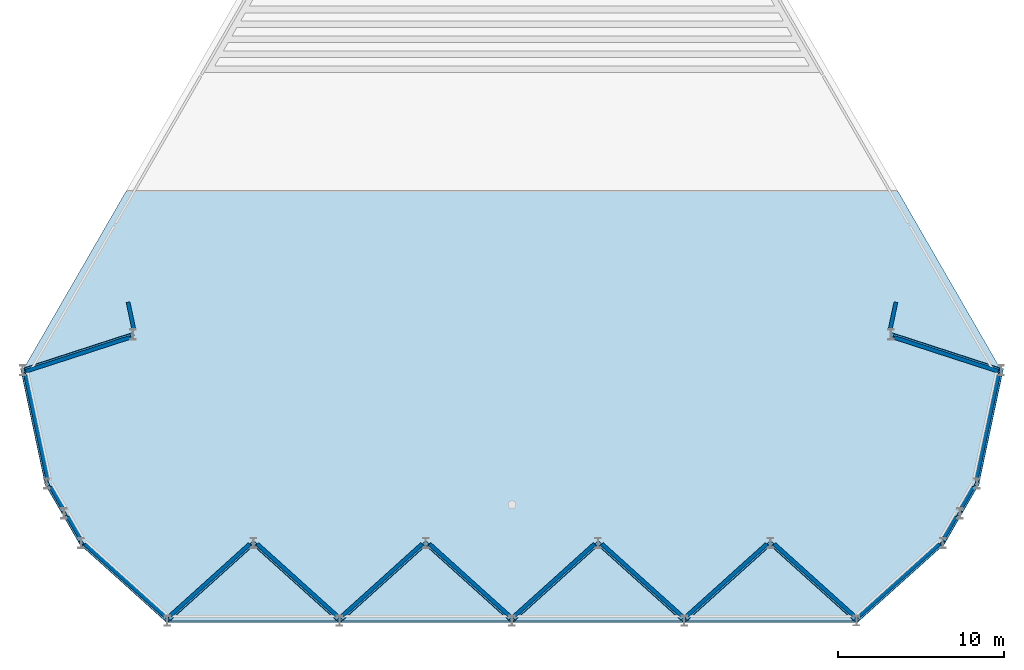
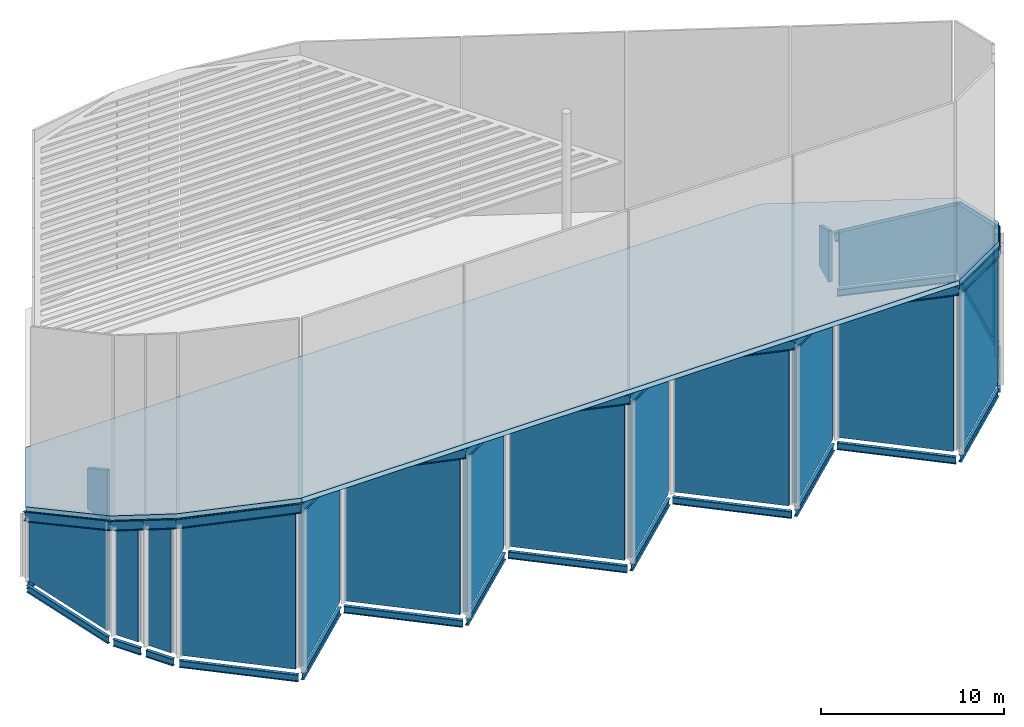
# One storey, part 3 of 5: 20 walls, 18 beams, 18 members, 1 roof.
"""IFC4 building model written with IfcOpenShell, lengths in metres."""

from ifc_helpers import new_model, si_unit, direction, frame, origin, origin_2d, place, context, subcontext, project, spatial, polyline, i_section, outline, extrude, material, layer, layer_set, material_profile, profile_set, type_object, element, save


model = new_model("IFC4")

# Units and contexts
model_context = context("Model", 3, precision=1e-05, world=origin(), true_north=direction((0.0, 1.0)))
body_context = subcontext(model_context, "Body", "Model", "MODEL_VIEW")
ifc_project = project(units=[si_unit("LENGTHUNIT", "METRE"), si_unit("AREAUNIT", "SQUARE_METRE"), si_unit("VOLUMEUNIT", "CUBIC_METRE"), si_unit("PLANEANGLEUNIT", "RADIAN"), si_unit("MASSUNIT", "GRAM", prefix="KILO")], contexts=[model_context])

# Site, building, storey
site_placement = place(None, origin())
site = spatial("IfcSite", under=ifc_project, at=site_placement, CompositionType="ELEMENT")
building_placement = place(site_placement, origin())
building = spatial("IfcBuilding", under=site, at=building_placement, Name="Cormorant Prow Tower", CompositionType="ELEMENT")
storey_placement = place(building_placement, frame((0.0, 0.0, 447.699951171875)))
storey = spatial("IfcBuildingStorey", under=building, at=storey_placement, Name="L99", CompositionType="ELEMENT", Elevation=447.699951171875)

# Members
ifc_material_1 = material(Name="Structural steel ASTM A992 Gr 50", Category="steel")
ifc_material_profile_1 = material_profile(ifc_material_1, i_section(OverallWidth=0.22900390625, OverallDepth=0.612060546875, WebThickness=0.011962890625, FlangeThickness=0.01953125, at=origin_2d()), Name="W24x84")
ifc_profile_set_1 = profile_set([ifc_material_profile_1], Name="Structural steel ASTM A992 Gr 50")
member_type_1 = type_object("IfcMemberType", Name="Crown frame edge member W24x84", PredefinedType="USERDEFINED", material=ifc_profile_set_1)
for number, where, z_axis, x_axis, name in (
    (1, (29.528564453125, -6.969482421875, 4.17626953125), (-0.942276055246, 0.306175765695, -0.135544222343), (-0.309027690338, -0.951053040899, 0.0), "Crown frame edge member CF3 ENE01-ENE02"),
    (2, (-22.873779296875, -4.80712890625, 3.218994140625), (-0.942276055246, -0.306175765695, 0.135544222343), (0.309027690338, -0.951053040899, 0.0), "Crown frame edge member CF3 WNW08-WNW09"),
):
    element("IfcMember", number, at=place(storey_placement, frame(where, z_axis=z_axis, x_axis=x_axis)), inside=storey, type_object=member_type_1, Name=name, ObjectType="CROWN FRAME", PredefinedType="USERDEFINED", context=body_context, shape_type="SweptSolid", body=[
        extrude(i_section(OverallWidth=0.22900390625, OverallDepth=0.612060546875, WebThickness=0.011962890625, FlangeThickness=0.01953125, at=origin_2d()), origin(), (0.0, 0.0, 1.0), 7.0625),
    ])
ifc_material_2 = material(Name="Structural steel ASTM A992 Gr 50", Category="steel")
ifc_material_profile_2 = material_profile(ifc_material_2, i_section(OverallWidth=0.22900390625, OverallDepth=0.612060546875, WebThickness=0.011962890625, FlangeThickness=0.01953125, at=origin_2d()), Name="W24x84")
ifc_profile_set_2 = profile_set([ifc_material_profile_2], Name="Structural steel ASTM A992 Gr 50")
member_type_2 = type_object("IfcMemberType", Name="Crown frame rafter W24x84", PredefinedType="RAFTER", material=ifc_profile_set_2)
for number, where, z_axis, x_axis, name in (
    (3, (-26.0, -17.40576171875, 8.796875), (0.712528391214, -0.641573289202, 0.284054583304), (0.669136276432, 0.743139720082, 0.0), "Crown frame rafter CF2 S00-S01"),
    (4, (-20.800048828125, -22.087890625, 10.869873046875), (0.712528391214, 0.641573289202, -0.284054583304), (-0.669136276432, 0.743139720082, 0.0), "Crown frame rafter CF2 S01-S02"),
):
    element("IfcMember", number, at=place(storey_placement, frame(where, z_axis=z_axis, x_axis=x_axis)), inside=storey, type_object=member_type_2, Name=name, PredefinedType="RAFTER", context=body_context, shape_type="SweptSolid", body=[
        extrude(i_section(OverallWidth=0.22900390625, OverallDepth=0.612060546875, WebThickness=0.011962890625, FlangeThickness=0.01953125, at=origin_2d()), origin(), (0.0, 0.0, 1.0), 7.2978515625),
    ])
member_1_placement = place(storey_placement, frame((-15.60009765625, -17.40576171875, 8.796875), z_axis=(0.712544859947, -0.641557996435, 0.284047812479), x_axis=(0.669118926826, 0.74315534161, 0.0)))
element("IfcMember", 5, at=member_1_placement, inside=storey, type_object=member_type_2, Name="Crown frame rafter CF2 S02-S03", PredefinedType="RAFTER", context=body_context, shape_type="SweptSolid", body=[
    extrude(i_section(OverallWidth=0.22900390625, OverallDepth=0.612060546875, WebThickness=0.011962890625, FlangeThickness=0.01953125, at=origin_2d()), origin(), (0.0, 0.0, 1.0), 7.298095703125),
])
for number, where, z_axis, x_axis, name in (
    (6, (-10.39990234375, -22.087890625, 10.869873046875), (0.712528391214, 0.641573289202, -0.284054583304), (-0.669136276432, 0.743139720082, 0.0), "Crown frame rafter CF2 S03-S04"),
    (7, (-5.199951171875, -17.40576171875, 8.796875), (0.712528391214, -0.641573289202, 0.284054583304), (0.669136276432, 0.743139720082, 0.0), "Crown frame rafter CF2 S04-S05"),
    (8, (0.0, -22.087890625, 10.869873046875), (0.712528391214, 0.641573289202, -0.284054583304), (-0.669136276432, 0.743139720082, 0.0), "Crown frame rafter CF2 S05-S06"),
    (9, (5.199951171875, -17.40576171875, 8.796875), (0.712528391214, -0.641573289202, 0.284054583304), (0.669136276432, 0.743139720082, 0.0), "Crown frame rafter CF2 S06-S07"),
):
    element("IfcMember", number, at=place(storey_placement, frame(where, z_axis=z_axis, x_axis=x_axis)), inside=storey, type_object=member_type_2, Name=name, PredefinedType="RAFTER", context=body_context, shape_type="SweptSolid", body=[
        extrude(i_section(OverallWidth=0.22900390625, OverallDepth=0.612060546875, WebThickness=0.011962890625, FlangeThickness=0.01953125, at=origin_2d()), origin(), (0.0, 0.0, 1.0), 7.2978515625),
    ])
member_2_placement = place(storey_placement, frame((10.39990234375, -22.087890625, 10.869873046875), z_axis=(0.712544859947, 0.641557996435, -0.284047812479), x_axis=(-0.669118926826, 0.74315534161, 0.0)))
element("IfcMember", 10, at=member_2_placement, inside=storey, type_object=member_type_2, Name="Crown frame rafter CF2 S07-S08", PredefinedType="RAFTER", context=body_context, shape_type="SweptSolid", body=[
    extrude(i_section(OverallWidth=0.22900390625, OverallDepth=0.612060546875, WebThickness=0.011962890625, FlangeThickness=0.01953125, at=origin_2d()), origin(), (0.0, 0.0, 1.0), 7.298095703125),
])
for number, where, z_axis, x_axis, name in (
    (11, (15.60009765625, -17.40576171875, 8.796875), (0.712528391214, -0.641573289202, 0.284054583304), (0.669136276432, 0.743139720082, 0.0), "Crown frame rafter CF2 S08-S09"),
    (12, (20.800048828125, -22.087890625, 10.869873046875), (0.712528391214, 0.641573289202, -0.284054583304), (-0.669136276432, 0.743139720082, 0.0), "Crown frame rafter CF2 S09-ESE00"),
):
    element("IfcMember", number, at=place(storey_placement, frame(where, z_axis=z_axis, x_axis=x_axis)), inside=storey, type_object=member_type_2, Name=name, PredefinedType="RAFTER", context=body_context, shape_type="SweptSolid", body=[
        extrude(i_section(OverallWidth=0.22900390625, OverallDepth=0.612060546875, WebThickness=0.011962890625, FlangeThickness=0.01953125, at=origin_2d()), origin(), (0.0, 0.0, 1.0), 7.2978515625),
    ])
member_3_placement = place(storey_placement, frame((26.0, -17.40576171875, 8.80078125), z_axis=(0.466856119705, 0.808616344843, -0.358029286997), x_axis=(-0.866024821615, 0.500001008347, 0.0)))
element("IfcMember", 13, at=member_3_placement, inside=storey, type_object=member_type_2, Name="Crown frame rafter CF2 ESE00-ESE01", PredefinedType="RAFTER", context=body_context, shape_type="SweptSolid", body=[
    extrude(i_section(OverallWidth=0.22900390625, OverallDepth=0.612060546875, WebThickness=0.011962890625, FlangeThickness=0.01953125, at=origin_2d()), origin(), (0.0, 0.0, 1.0), 2.220947265625),
])
member_4_placement = place(storey_placement, frame((27.036865234375, -15.60986328125, 8.005615234375), z_axis=(0.466814624493, 0.808654389545, -0.357997464557), x_axis=(-0.866054249832, 0.499950033851, 0.0)))
element("IfcMember", 14, at=member_4_placement, inside=storey, type_object=member_type_2, Name="Crown frame rafter CF2 ESE01-ENE00", PredefinedType="RAFTER", context=body_context, shape_type="SweptSolid", body=[
    extrude(i_section(OverallWidth=0.22900390625, OverallDepth=0.612060546875, WebThickness=0.011962890625, FlangeThickness=0.01953125, at=origin_2d()), origin(), (0.0, 0.0, 1.0), 2.22119140625),
])
for number, where, z_axis, x_axis, name in (
    (15, (28.07373046875, -13.813720703125, 7.219482421875), (0.190796928041, 0.897600449857, -0.397378867917), (-0.978146257121, 0.207918011921, 0.0), "Crown frame rafter CF2 ENE00-ENE01"),
    (16, (-29.528564453125, -6.969482421875, 4.189453125), (0.190796928041, -0.897600449857, 0.397378867917), (0.978146257121, 0.207918011921, 0.0), "Crown frame rafter CF2 WNW09-WSW00"),
):
    element("IfcMember", number, at=place(storey_placement, frame(where, z_axis=z_axis, x_axis=x_axis)), inside=storey, type_object=member_type_2, Name=name, PredefinedType="RAFTER", context=body_context, shape_type="SweptSolid", body=[
        extrude(i_section(OverallWidth=0.22900390625, OverallDepth=0.612060546875, WebThickness=0.011962890625, FlangeThickness=0.01953125, at=origin_2d()), origin(), (0.0, 0.0, 1.0), 7.625),
    ])
member_5_placement = place(storey_placement, frame((-28.07373046875, -13.813720703125, 7.21044921875), z_axis=(0.466814624493, -0.808654389545, 0.357997464557), x_axis=(0.866054249832, 0.499950033851, 0.0)))
element("IfcMember", 17, at=member_5_placement, inside=storey, type_object=member_type_2, Name="Crown frame rafter CF2 WSW00-WSW01", PredefinedType="RAFTER", context=body_context, shape_type="SweptSolid", body=[
    extrude(i_section(OverallWidth=0.22900390625, OverallDepth=0.612060546875, WebThickness=0.011962890625, FlangeThickness=0.01953125, at=origin_2d()), origin(), (0.0, 0.0, 1.0), 2.22119140625),
])
member_6_placement = place(storey_placement, frame((-27.036865234375, -15.60986328125, 8.005615234375), z_axis=(0.466856119705, -0.808616344843, 0.358029286997), x_axis=(0.866024821615, 0.500001008347, 0.0)))
element("IfcMember", 18, at=member_6_placement, inside=storey, type_object=member_type_2, Name="Crown frame rafter CF2 WSW01-S00", PredefinedType="RAFTER", context=body_context, shape_type="SweptSolid", body=[
    extrude(i_section(OverallWidth=0.22900390625, OverallDepth=0.612060546875, WebThickness=0.011962890625, FlangeThickness=0.01953125, at=origin_2d()), origin(), (0.0, 0.0, 1.0), 2.220947265625),
])

# Beams
ifc_material_3 = material(Name="Structural steel ASTM A992 Gr 50", Category="steel")
ifc_material_profile_3 = material_profile(ifc_material_3, i_section(OverallWidth=0.19287109375, OverallDepth=0.466064453125, WebThickness=0.011474609375, FlangeThickness=0.01904296875, at=origin_2d()), Name="W18x65")
ifc_profile_set_3 = profile_set([ifc_material_profile_3], Name="Structural steel ASTM A992 Gr 50")
beam_type = type_object("IfcBeamType", Name="Crown ring beam W18x65", PredefinedType="SPANDREL", material=ifc_profile_set_3)
for number, where, z_axis, x_axis, name in (
    (19, (-25.878662109375, -17.514892578125, -0.532958984375), (0.743139440672, -0.669136586743, 0.0), (0.669136586743, 0.743139440672, 0.0), "Crown ring beam SB5 S00-S01 L99"),
    (20, (-20.6787109375, -21.978515625, -0.532958984375), (0.743139440672, 0.669136586743, 0.0), (-0.669136586743, 0.743139440672, 0.0), "Crown ring beam SB5 S01-S02 L99"),
):
    element("IfcBeam", number, at=place(storey_placement, frame(where, z_axis=z_axis, x_axis=x_axis)), inside=storey, type_object=beam_type, Name=name, PredefinedType="SPANDREL", context=body_context, shape_type="SweptSolid", body=[
        extrude(i_section(OverallWidth=0.19287109375, OverallDepth=0.466064453125, WebThickness=0.011474609375, FlangeThickness=0.01904296875, at=origin_2d()), origin(), (0.0, 0.0, 1.0), 6.670654296875),
    ])
beam_1_placement = place(storey_placement, frame((-15.478759765625, -17.514892578125, -0.532958984375), z_axis=(0.743155826906, -0.669118387832, 0.0), x_axis=(0.669118387832, 0.743155826906, 0.0)))
element("IfcBeam", 21, at=beam_1_placement, inside=storey, type_object=beam_type, Name="Crown ring beam SB5 S02-S03 L99", PredefinedType="SPANDREL", context=body_context, shape_type="SweptSolid", body=[
    extrude(i_section(OverallWidth=0.19287109375, OverallDepth=0.466064453125, WebThickness=0.011474609375, FlangeThickness=0.01904296875, at=origin_2d()), origin(), (0.0, 0.0, 1.0), 6.6708984375),
])
for number, where, z_axis, x_axis, name in (
    (22, (-10.278564453125, -21.978515625, -0.532958984375), (0.743139440672, 0.669136586743, 0.0), (-0.669136586743, 0.743139440672, 0.0), "Crown ring beam SB5 S03-S04 L99"),
    (23, (-5.07861328125, -17.514892578125, -0.532958984375), (0.743139440672, -0.669136586743, 0.0), (0.669136586743, 0.743139440672, 0.0), "Crown ring beam SB5 S04-S05 L99"),
    (24, (0.121337890625, -21.978515625, -0.532958984375), (0.743139440672, 0.669136586743, 0.0), (-0.669136586743, 0.743139440672, 0.0), "Crown ring beam SB5 S05-S06 L99"),
    (25, (5.3212890625, -17.514892578125, -0.532958984375), (0.743139440672, -0.669136586743, 0.0), (0.669136586743, 0.743139440672, 0.0), "Crown ring beam SB5 S06-S07 L99"),
):
    element("IfcBeam", number, at=place(storey_placement, frame(where, z_axis=z_axis, x_axis=x_axis)), inside=storey, type_object=beam_type, Name=name, PredefinedType="SPANDREL", context=body_context, shape_type="SweptSolid", body=[
        extrude(i_section(OverallWidth=0.19287109375, OverallDepth=0.466064453125, WebThickness=0.011474609375, FlangeThickness=0.01904296875, at=origin_2d()), origin(), (0.0, 0.0, 1.0), 6.670654296875),
    ])
beam_2_placement = place(storey_placement, frame((10.521240234375, -21.978515625, -0.532958984375), z_axis=(0.743155826906, 0.669118387832, 0.0), x_axis=(-0.669118387832, 0.743155826906, 0.0)))
element("IfcBeam", 26, at=beam_2_placement, inside=storey, type_object=beam_type, Name="Crown ring beam SB5 S07-S08 L99", PredefinedType="SPANDREL", context=body_context, shape_type="SweptSolid", body=[
    extrude(i_section(OverallWidth=0.19287109375, OverallDepth=0.466064453125, WebThickness=0.011474609375, FlangeThickness=0.01904296875, at=origin_2d()), origin(), (0.0, 0.0, 1.0), 6.6708984375),
])
for number, where, z_axis, x_axis, name in (
    (27, (15.721435546875, -17.514892578125, -0.532958984375), (0.743139440672, -0.669136586743, 0.0), (0.669136586743, 0.743139440672, 0.0), "Crown ring beam SB5 S08-S09 L99"),
    (28, (20.92138671875, -21.978515625, -0.532958984375), (0.743139440672, 0.669136586743, 0.0), (-0.669136586743, 0.743139440672, 0.0), "Crown ring beam SB5 S09-ESE00 L99"),
):
    element("IfcBeam", number, at=place(storey_placement, frame(where, z_axis=z_axis, x_axis=x_axis)), inside=storey, type_object=beam_type, Name=name, PredefinedType="SPANDREL", context=body_context, shape_type="SweptSolid", body=[
        extrude(i_section(OverallWidth=0.19287109375, OverallDepth=0.466064453125, WebThickness=0.011474609375, FlangeThickness=0.01904296875, at=origin_2d()), origin(), (0.0, 0.0, 1.0), 6.670654296875),
    ])
for number, where, z_axis, x_axis, name in (
    (29, (26.08154296875, -17.264404296875, -0.532958984375), (0.500061095026, 0.865990127681, 0.0), (-0.865990127681, 0.500061095026, 0.0), "Crown ring beam SB5 ESE00-ESE01 L99"),
    (30, (27.118408203125, -15.46826171875, -0.532958984375), (0.500061095026, 0.865990127681, 0.0), (-0.865990127681, 0.500061095026, 0.0), "Crown ring beam SB5 ESE01-ENE00 L99"),
):
    element("IfcBeam", number, at=place(storey_placement, frame(where, z_axis=z_axis, x_axis=x_axis)), inside=storey, type_object=beam_type, Name=name, PredefinedType="SPANDREL", context=body_context, shape_type="SweptSolid", body=[
        extrude(i_section(OverallWidth=0.19287109375, OverallDepth=0.466064453125, WebThickness=0.011474609375, FlangeThickness=0.01904296875, at=origin_2d()), origin(), (0.0, 0.0, 1.0), 1.747314453125),
    ])
for number, where, z_axis, x_axis, name in (
    (31, (28.107666015625, -13.654052734375, -0.532958984375), (0.207919161079, 0.978146012851, 0.0), (-0.978146012851, 0.207919161079, 0.0), "Crown ring beam SB5 ENE00-ENE01 L99"),
    (32, (29.373291015625, -6.9189453125, -0.532958984375), (-0.95106042314, 0.309004970083, 0.0), (-0.309004970083, -0.95106042314, 0.0), "Crown ring beam SB5 ENE01-ENE02 L99"),
    (33, (-23.029052734375, -4.857666015625, -0.532958984375), (-0.95106042314, -0.309004970083, 0.0), (0.309004970083, -0.95106042314, 0.0), "Crown ring beam SB5 WNW08-WNW09 L99"),
    (34, (-29.49462890625, -7.129150390625, -0.532958984375), (0.207919161079, -0.978146012851, 0.0), (0.978146012851, 0.207919161079, 0.0), "Crown ring beam SB5 WNW09-WSW00 L99"),
):
    element("IfcBeam", number, at=place(storey_placement, frame(where, z_axis=z_axis, x_axis=x_axis)), inside=storey, type_object=beam_type, Name=name, PredefinedType="SPANDREL", context=body_context, shape_type="SweptSolid", body=[
        extrude(i_section(OverallWidth=0.19287109375, OverallDepth=0.466064453125, WebThickness=0.011474609375, FlangeThickness=0.01904296875, at=origin_2d()), origin(), (0.0, 0.0, 1.0), 6.670654296875),
    ])
for number, where, z_axis, x_axis, name in (
    (35, (-27.9921875, -13.955078125, -0.532958984375), (0.500061095026, -0.865990127681, 0.0), (0.865990127681, 0.500061095026, 0.0), "Crown ring beam SB5 WSW00-WSW01 L99"),
    (36, (-26.955322265625, -15.751220703125, -0.532958984375), (0.500061095026, -0.865990127681, 0.0), (0.865990127681, 0.500061095026, 0.0), "Crown ring beam SB5 WSW01-S00 L99"),
):
    element("IfcBeam", number, at=place(storey_placement, frame(where, z_axis=z_axis, x_axis=x_axis)), inside=storey, type_object=beam_type, Name=name, PredefinedType="SPANDREL", context=body_context, shape_type="SweptSolid", body=[
        extrude(i_section(OverallWidth=0.19287109375, OverallDepth=0.466064453125, WebThickness=0.011474609375, FlangeThickness=0.01904296875, at=origin_2d()), origin(), (0.0, 0.0, 1.0), 1.747314453125),
    ])

# Walls
ifc_material_4 = material(Name="Terracotta", Category="masonry")
ifc_layer_1 = layer(ifc_material_4, 0.22998046875)
ifc_layer_set_1 = layer_set([ifc_layer_1], Name="Terracotta")
wall_type = type_object("IfcWallType", Name="Terracotta crown cladding wall 230", PredefinedType="SOLIDWALL", material=ifc_layer_set_1)
wall_1_placement = place(storey_placement, frame((-25.775146484375, -17.453369140625, 0.0), z_axis=(0.0, 0.0, 1.0), x_axis=(0.743144145146, -0.669131361943, 0.0)))
element("IfcWall", 37, at=wall_1_placement, inside=storey, type_object=wall_type, Name="Terracotta raked crown wall S00", PredefinedType="SOLIDWALL", context=body_context, shape_type="SweptSolid", body=[
    extrude(outline(polyline([(0.0, 0.0), (6.47509765625, 0.0), (6.47509765625, 11.1181640625), (6.432373046875, 11.1181640625), (0.1669921875, 9.26220703125), (0.0, 9.26220703125), (0.0, 0.0)])), frame((0.0, 0.114990234375, 0.0), z_axis=(0.0, -1.0, 0.0), x_axis=(1.0, 0.0, 0.0)), (0.0, 0.0, 1.0), 0.22998046875),
])
wall_2_placement = place(storey_placement, frame((-20.63671875, -21.7861328125, 0.0), z_axis=(0.0, 0.0, 1.0), x_axis=(0.743144145146, 0.669131361943, 0.0)))
element("IfcWall", 38, at=wall_2_placement, inside=storey, type_object=wall_type, Name="Terracotta raked crown wall S01", PredefinedType="SOLIDWALL", context=body_context, shape_type="SweptSolid", body=[
    extrude(outline(polyline([(0.0, 0.0), (6.47509765625, 0.0), (6.47509765625, 9.26220703125), (6.30810546875, 9.26220703125), (0.042724609375, 11.1181640625), (0.0, 11.1181640625), (0.0, 0.0)])), frame((0.0, 0.114990234375, 0.0), z_axis=(0.0, -1.0, 0.0), x_axis=(1.0, 0.0, 0.0)), (0.0, 0.0, 1.0), 0.22998046875),
])
wall_3_placement = place(storey_placement, frame((-15.375244140625, -17.453369140625, 0.0), z_axis=(0.0, 0.0, 1.0), x_axis=(0.743144145146, -0.669131361943, 0.0)))
element("IfcWall", 39, at=wall_3_placement, inside=storey, type_object=wall_type, Name="Terracotta raked crown wall S02", PredefinedType="SOLIDWALL", context=body_context, shape_type="SweptSolid", body=[
    extrude(outline(polyline([(0.0, 0.0), (6.47509765625, 0.0), (6.47509765625, 11.1181640625), (6.432373046875, 11.1181640625), (0.1669921875, 9.26220703125), (0.0, 9.26220703125), (0.0, 0.0)])), frame((0.0, 0.114990234375, 0.0), z_axis=(0.0, -1.0, 0.0), x_axis=(1.0, 0.0, 0.0)), (0.0, 0.0, 1.0), 0.22998046875),
])
wall_4_placement = place(storey_placement, frame((-10.23681640625, -21.7861328125, 0.0), z_axis=(0.0, 0.0, 1.0), x_axis=(0.743144145146, 0.669131361943, 0.0)))
element("IfcWall", 40, at=wall_4_placement, inside=storey, type_object=wall_type, Name="Terracotta raked crown wall S03", PredefinedType="SOLIDWALL", context=body_context, shape_type="SweptSolid", body=[
    extrude(outline(polyline([(0.0, 0.0), (6.47509765625, 0.0), (6.47509765625, 9.26220703125), (6.30810546875, 9.26220703125), (0.042724609375, 11.1181640625), (0.0, 11.1181640625), (0.0, 0.0)])), frame((0.0, 0.114990234375, 0.0), z_axis=(0.0, -1.0, 0.0), x_axis=(1.0, 0.0, 0.0)), (0.0, 0.0, 1.0), 0.22998046875),
])
wall_5_placement = place(storey_placement, frame((-4.97509765625, -17.453369140625, 0.0), z_axis=(0.0, 0.0, 1.0), x_axis=(0.743127263007, -0.669150110944, 0.0)))
element("IfcWall", 41, at=wall_5_placement, inside=storey, type_object=wall_type, Name="Terracotta raked crown wall S04", PredefinedType="SOLIDWALL", context=body_context, shape_type="SweptSolid", body=[
    extrude(outline(polyline([(0.0, 0.0), (6.47509765625, 0.0), (6.47509765625, 11.1181640625), (6.432373046875, 11.1181640625), (0.1669921875, 9.26220703125), (0.0, 9.26220703125), (0.0, 0.0)])), frame((0.0, 0.114990234375, 0.0), z_axis=(0.0, -1.0, 0.0), x_axis=(1.0, 0.0, 0.0)), (0.0, 0.0, 1.0), 0.22998046875),
])
wall_6_placement = place(storey_placement, frame((0.163330078125, -21.7861328125, 0.0), z_axis=(0.0, 0.0, 1.0), x_axis=(0.743127263007, 0.669150110944, 0.0)))
element("IfcWall", 42, at=wall_6_placement, inside=storey, type_object=wall_type, Name="Terracotta raked crown wall S05", PredefinedType="SOLIDWALL", context=body_context, shape_type="SweptSolid", body=[
    extrude(outline(polyline([(0.0, 0.0), (6.47509765625, 0.0), (6.47509765625, 9.26220703125), (6.30810546875, 9.26220703125), (0.042724609375, 11.1181640625), (0.0, 11.1181640625), (0.0, 0.0)])), frame((0.0, 0.114990234375, 0.0), z_axis=(0.0, -1.0, 0.0), x_axis=(1.0, 0.0, 0.0)), (0.0, 0.0, 1.0), 0.22998046875),
])
wall_7_placement = place(storey_placement, frame((5.4248046875, -17.453369140625, 0.0), z_axis=(0.0, 0.0, 1.0), x_axis=(0.743144145146, -0.669131361943, 0.0)))
element("IfcWall", 43, at=wall_7_placement, inside=storey, type_object=wall_type, Name="Terracotta raked crown wall S06", PredefinedType="SOLIDWALL", context=body_context, shape_type="SweptSolid", body=[
    extrude(outline(polyline([(0.0, 0.0), (6.47509765625, 0.0), (6.47509765625, 11.1181640625), (6.432373046875, 11.1181640625), (0.1669921875, 9.26220703125), (0.0, 9.26220703125), (0.0, 0.0)])), frame((0.0, 0.114990234375, 0.0), z_axis=(0.0, -1.0, 0.0), x_axis=(1.0, 0.0, 0.0)), (0.0, 0.0, 1.0), 0.22998046875),
])
wall_8_placement = place(storey_placement, frame((10.563232421875, -21.7861328125, 0.0), z_axis=(0.0, 0.0, 1.0), x_axis=(0.743144145146, 0.669131361943, 0.0)))
element("IfcWall", 44, at=wall_8_placement, inside=storey, type_object=wall_type, Name="Terracotta raked crown wall S07", PredefinedType="SOLIDWALL", context=body_context, shape_type="SweptSolid", body=[
    extrude(outline(polyline([(0.0, 0.0), (6.47509765625, 0.0), (6.47509765625, 9.26220703125), (6.30810546875, 9.26220703125), (0.042724609375, 11.1181640625), (0.0, 11.1181640625), (0.0, 0.0)])), frame((0.0, 0.114990234375, 0.0), z_axis=(0.0, -1.0, 0.0), x_axis=(1.0, 0.0, 0.0)), (0.0, 0.0, 1.0), 0.22998046875),
])
wall_9_placement = place(storey_placement, frame((15.82470703125, -17.453369140625, 0.0), z_axis=(0.0, 0.0, 1.0), x_axis=(0.743144145146, -0.669131361943, 0.0)))
element("IfcWall", 45, at=wall_9_placement, inside=storey, type_object=wall_type, Name="Terracotta raked crown wall S08", PredefinedType="SOLIDWALL", context=body_context, shape_type="SweptSolid", body=[
    extrude(outline(polyline([(0.0, 0.0), (6.47509765625, 0.0), (6.47509765625, 11.1181640625), (6.432373046875, 11.1181640625), (0.1669921875, 9.26220703125), (0.0, 9.26220703125), (0.0, 0.0)])), frame((0.0, 0.114990234375, 0.0), z_axis=(0.0, -1.0, 0.0), x_axis=(1.0, 0.0, 0.0)), (0.0, 0.0, 1.0), 0.22998046875),
])
wall_10_placement = place(storey_placement, frame((20.963134765625, -21.7861328125, 0.0), z_axis=(0.0, 0.0, 1.0), x_axis=(0.743144145146, 0.669131361943, 0.0)))
element("IfcWall", 46, at=wall_10_placement, inside=storey, type_object=wall_type, Name="Terracotta raked crown wall S09", PredefinedType="SOLIDWALL", context=body_context, shape_type="SweptSolid", body=[
    extrude(outline(polyline([(0.0, 0.0), (6.47509765625, 0.0), (6.47509765625, 9.26220703125), (6.30810546875, 9.26220703125), (0.042724609375, 11.1181640625), (0.0, 11.1181640625), (0.0, 0.0)])), frame((0.0, 0.114990234375, 0.0), z_axis=(0.0, -1.0, 0.0), x_axis=(1.0, 0.0, 0.0)), (0.0, 0.0, 1.0), 0.22998046875),
])
wall_11_placement = place(storey_placement, frame((26.0732421875, -17.048828125, 0.0), z_axis=(0.0, 0.0, 1.0), x_axis=(0.500001025616, 0.866024811644, 0.0)))
element("IfcWall", 47, at=wall_11_placement, inside=storey, type_object=wall_type, Name="Terracotta raked crown wall ESE00", PredefinedType="SOLIDWALL", context=body_context, shape_type="SweptSolid", body=[
    extrude(outline(polyline([(0.0, 0.0), (1.44140625, 0.0), (1.44140625, 8.4990234375), (1.362060546875, 8.4990234375), (0.020263671875, 9.013427734375), (0.0, 9.013427734375), (0.0, 0.0)])), frame((0.0, 0.114990234375, 0.0), z_axis=(0.0, -1.0, 0.0), x_axis=(1.0, 0.0, 0.0)), (0.0, 0.0, 1.0), 0.22998046875),
])
wall_12_placement = place(storey_placement, frame((27.110107421875, -15.2529296875, 0.0), z_axis=(0.0, 0.0, 1.0), x_axis=(0.500001025616, 0.866024811644, 0.0)))
element("IfcWall", 48, at=wall_12_placement, inside=storey, type_object=wall_type, Name="Terracotta raked crown wall ESE01", PredefinedType="SOLIDWALL", context=body_context, shape_type="SweptSolid", body=[
    extrude(outline(polyline([(0.0, 0.0), (1.44140625, 0.0), (1.44140625, 7.703857421875), (1.362060546875, 7.703857421875), (0.020263671875, 8.21826171875), (0.0, 8.21826171875), (0.0, 0.0)])), frame((0.0, 0.114990234375, 0.0), z_axis=(0.0, -1.0, 0.0), x_axis=(1.0, 0.0, 0.0)), (0.0, 0.0, 1.0), 0.22998046875),
])
wall_13_placement = place(storey_placement, frame((28.0263671875, -13.48388671875, 0.0), z_axis=(0.0, 0.0, 1.0), x_axis=(0.20789874855, 0.978150351608, 0.0)))
element("IfcWall", 49, at=wall_13_placement, inside=storey, type_object=wall_type, Name="Terracotta raked crown wall ENE00", PredefinedType="SOLIDWALL", context=body_context, shape_type="SweptSolid", body=[
    extrude(outline(polyline([(0.0, 0.0), (6.351806640625, 0.0), (6.351806640625, 4.69189453125), (6.318359375, 4.69189453125), (0.052978515625, 7.405029296875), (0.0, 7.405029296875), (0.0, 0.0)])), frame((0.0, 0.114990234375, 0.0), z_axis=(0.0, -1.0, 0.0), x_axis=(1.0, 0.0, 0.0)), (0.0, 0.0, 1.0), 0.22998046875),
])
wall_14_placement = place(storey_placement, frame((29.3369140625, -7.028076171875, 0.0), z_axis=(0.0, 0.0, 1.0), x_axis=(-0.951051480046, 0.309032493925, 0.0)))
element("IfcWall", 50, at=wall_14_placement, inside=storey, type_object=wall_type, Name="Terracotta raked crown wall ENE01", PredefinedType="SOLIDWALL", context=body_context, shape_type="SweptSolid", body=[
    extrude(outline(polyline([(0.0, 0.0), (6.59423828125, 0.0), (6.59423828125, 3.626220703125), (6.467041015625, 3.626220703125), (0.201904296875, 4.4833984375), (0.0, 4.4833984375), (0.0, 0.0)])), frame((0.0, 0.114990234375, 0.0), z_axis=(0.0, -1.0, 0.0), x_axis=(1.0, 0.0, 0.0)), (0.0, 0.0, 1.0), 0.22998046875),
])
wall_15_placement = place(storey_placement, frame((22.826416015625, -4.47705078125, 0.0), z_axis=(0.0, 0.0, 1.0), x_axis=(0.207890632098, 0.978152076666, 0.0)))
element("IfcWall", 51, at=wall_15_placement, inside=storey, type_object=wall_type, Name="Terracotta raked crown wall ENE02", PredefinedType="SOLIDWALL", context=body_context, shape_type="SweptSolid", body=[
    extrude(outline(polyline([(0.0, 0.0), (1.64892578125, 0.0), (1.64892578125, 2.7265625), (0.052978515625, 3.417724609375), (0.0, 3.417724609375), (0.0, 0.0)])), frame((0.0, 0.114990234375, 0.0), z_axis=(0.0, -1.0, 0.0), x_axis=(1.0, 0.0, 0.0)), (0.0, 0.0, 1.0), 0.22998046875),
])
wall_16_placement = place(storey_placement, frame((-23.169189453125, -2.8642578125, 0.0), z_axis=(0.0, 0.0, 1.0), x_axis=(0.207890632098, -0.978152076666, 0.0)))
element("IfcWall", 52, at=wall_16_placement, inside=storey, type_object=wall_type, Name="Terracotta raked crown wall WNW07", PredefinedType="SOLIDWALL", context=body_context, shape_type="SweptSolid", body=[
    extrude(outline(polyline([(0.0, 0.0), (1.64892578125, 0.0), (1.64892578125, 3.417724609375), (1.595947265625, 3.417724609375), (0.0, 2.7265625), (0.0, 0.0)])), frame((0.0, 0.114990234375, 0.0), z_axis=(0.0, -1.0, 0.0), x_axis=(1.0, 0.0, 0.0)), (0.0, 0.0, 1.0), 0.22998046875),
])
wall_17_placement = place(storey_placement, frame((-23.0654296875, -4.990234375, 0.0), z_axis=(0.0, 0.0, 1.0), x_axis=(-0.951051480046, -0.309032493925, 0.0)))
element("IfcWall", 53, at=wall_17_placement, inside=storey, type_object=wall_type, Name="Terracotta raked crown wall WNW08", PredefinedType="SOLIDWALL", context=body_context, shape_type="SweptSolid", body=[
    extrude(outline(polyline([(0.0, 0.0), (6.59423828125, 0.0), (6.59423828125, 4.4833984375), (6.392333984375, 4.4833984375), (0.127197265625, 3.626220703125), (0.0, 3.626220703125), (0.0, 0.0)])), frame((0.0, 0.114990234375, 0.0), z_axis=(0.0, -1.0, 0.0), x_axis=(1.0, 0.0, 0.0)), (0.0, 0.0, 1.0), 0.22998046875),
])
wall_18_placement = place(storey_placement, frame((-29.346923828125, -7.270751953125, 0.0), z_axis=(0.0, 0.0, 1.0), x_axis=(0.20789874855, -0.978150351608, 0.0)))
element("IfcWall", 54, at=wall_18_placement, inside=storey, type_object=wall_type, Name="Terracotta raked crown wall WNW09", PredefinedType="SOLIDWALL", context=body_context, shape_type="SweptSolid", body=[
    extrude(outline(polyline([(0.0, 0.0), (6.351806640625, 0.0), (6.351806640625, 7.405029296875), (6.298828125, 7.405029296875), (0.033447265625, 4.69189453125), (0.0, 4.69189453125), (0.0, 0.0)])), frame((0.0, 0.114990234375, 0.0), z_axis=(0.0, -1.0, 0.0), x_axis=(1.0, 0.0, 0.0)), (0.0, 0.0, 1.0), 0.22998046875),
])
wall_19_placement = place(storey_placement, frame((-27.830810546875, -14.004638671875, 0.0), z_axis=(0.0, 0.0, 1.0), x_axis=(0.500001025616, -0.866024811644, 0.0)))
element("IfcWall", 55, at=wall_19_placement, inside=storey, type_object=wall_type, Name="Terracotta raked crown wall WSW00", PredefinedType="SOLIDWALL", context=body_context, shape_type="SweptSolid", body=[
    extrude(outline(polyline([(0.0, 0.0), (1.44140625, 0.0), (1.44140625, 8.21826171875), (1.421142578125, 8.21826171875), (0.079345703125, 7.703857421875), (0.0, 7.703857421875), (0.0, 0.0)])), frame((0.0, 0.114990234375, 0.0), z_axis=(0.0, -1.0, 0.0), x_axis=(1.0, 0.0, 0.0)), (0.0, 0.0, 1.0), 0.22998046875),
])
wall_20_placement = place(storey_placement, frame((-26.7939453125, -15.800537109375, 0.0), z_axis=(0.0, 0.0, 1.0), x_axis=(0.500001025616, -0.866024811644, 0.0)))
element("IfcWall", 56, at=wall_20_placement, inside=storey, type_object=wall_type, Name="Terracotta raked crown wall WSW01", PredefinedType="SOLIDWALL", context=body_context, shape_type="SweptSolid", body=[
    extrude(outline(polyline([(0.0, 0.0), (1.44140625, 0.0), (1.44140625, 9.013427734375), (1.421142578125, 9.013427734375), (0.079345703125, 8.4990234375), (0.0, 8.4990234375), (0.0, 0.0)])), frame((0.0, 0.114990234375, 0.0), z_axis=(0.0, -1.0, 0.0), x_axis=(1.0, 0.0, 0.0)), (0.0, 0.0, 1.0), 0.22998046875),
])

# Roof
ifc_material_5 = material(Name="Clear glass", Category="glass")
ifc_layer_2 = layer(ifc_material_5, 0.25)
ifc_layer_set_2 = layer_set([ifc_layer_2], Name="Clear glass")
roof_type = type_object("IfcRoofType", Name="Crown frame cap 250", PredefinedType="SHED_ROOF", material=ifc_layer_set_2)
roof_placement = place(storey_placement, frame((-26.0, -17.40576171875, 9.42724609375), z_axis=(0.0, 0.404817822299, 0.91439735933), x_axis=(-0.466856120055, 0.808632022747, -0.357993875584)))
element("IfcRoof", 57, at=roof_placement, inside=storey, type_object=roof_type, Name="Crown glazed roof cap", PredefinedType="SHED_ROOF", context=body_context, shape_type="SweptSolid", body=[
    extrude(outline(polyline([(0.0, 0.0), (2.2209524301699077, -1.942890293094024e-16), (4.442102280267243, -0.000104221680509331), (11.7405026061871, -2.207947013819229), (19.31468122568857, -13.294950602086146), (-2.4034745975359004, -54.434152403118), (-15.83067945655026, -54.43413196268198), (-21.770683483932288, -49.65317293055557), (-23.023699573349955, -47.8191998263062), (-24.27651824284019, -45.98533094373735), (-26.377041786518575, -38.996344402391315), (-6.955781600828452, -2.207993286728838), (0.0, 0.0)])), origin(), (0.0, 0.0, -1.0), 0.25),
])

save(model, "model.ifc")
